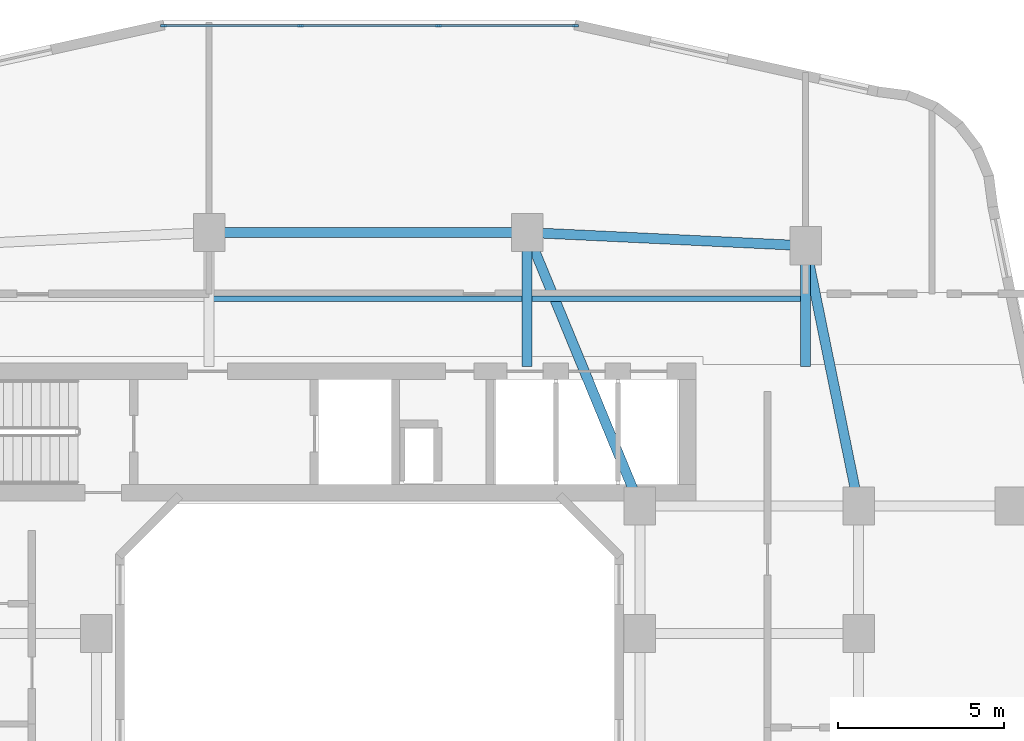
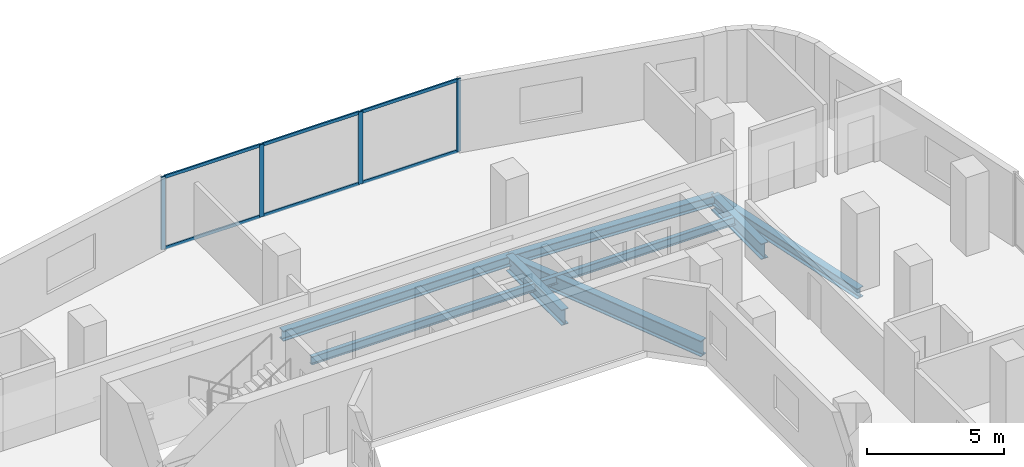
# One storey, part 7 of 26: 10 members, 8 beams, 1 element without a shape of its own.
"""IFC4 building model written with IfcOpenShell, lengths in metres."""

from ifc_helpers import new_model, si_unit, derived_unit, direction, frame, origin, origin_2d, place, context, subcontext, project, spatial, rectangle, i_section, extrude, material, layer, layer_set, material_profile, profile_set, type_object, element, aggregate, save


model = new_model("IFC4")

# Units and contexts
model_context = context("Model", 3, precision=1e-05, world=origin(), true_north=direction((0.0, 1.0)))
body_context = subcontext(model_context, "Body", "Model", "MODEL_VIEW")
ifc_project = project(units=[si_unit("LENGTHUNIT", "METRE"), si_unit("AREAUNIT", "SQUARE_METRE"), si_unit("VOLUMEUNIT", "CUBIC_METRE"), si_unit("PLANEANGLEUNIT", "RADIAN"), si_unit("MASSUNIT", "GRAM", prefix="KILO"), derived_unit("THERMALTRANSMITTANCEUNIT", [(si_unit("POWERUNIT", "WATT"), 1), (si_unit("LENGTHUNIT", "METRE"), -2), (si_unit("THERMODYNAMICTEMPERATUREUNIT", "KELVIN"), -1)])], contexts=[model_context])

# Site, building, storey
site_placement = place(None, origin())
site = spatial("IfcSite", under=ifc_project, at=site_placement, CompositionType="ELEMENT")
building_placement = place(site_placement, origin())
building = spatial("IfcBuilding", under=site, at=building_placement, Name="Kivonza Crest Hotel", CompositionType="ELEMENT")
storey_placement = place(building_placement, frame((0.0, 0.0, 62.5)))
storey = spatial("IfcBuildingStorey", under=building, at=storey_placement, Name="L16", CompositionType="ELEMENT", Elevation=62.5)

# Beams
ifc_material_1 = material(Name="Steel S355", Category="steel")
ifc_material_profile_1 = material_profile(ifc_material_1, i_section(OverallWidth=0.300048828125, OverallDepth=0.449951171875, WebThickness=0.013916015625, FlangeThickness=0.02587890625, FilletRadius=0.027099609375, at=origin_2d()), Name="HEB 450")
ifc_profile_set_1 = profile_set([ifc_material_profile_1], Name="Steel S355")
beam_type_1 = type_object("IfcBeamType", Name="BM-HEB450", PredefinedType="SPANDREL", material=ifc_profile_set_1)
beam_1_placement = place(storey_placement, frame((35.800048828125, 32.35009765625, -0.5048828125), z_axis=(-0.199730733965, 0.979850822273, 0.0), x_axis=(-0.979850822273, -0.199730733965, 0.0)))
element("IfcBeam", 1, at=beam_1_placement, inside=storey, type_object=beam_type_1, Name="Tower T1 L16 perimeter spandrel PNE-NE", PredefinedType="SPANDREL", context=body_context, shape_type="SweptSolid", body=[
    extrude(i_section(OverallWidth=0.300048828125, OverallDepth=0.449951171875, WebThickness=0.013916015625, FlangeThickness=0.02587890625, FilletRadius=0.027099609375, at=origin_2d()), origin(), (0.0, 0.0, 1.0), 8.01123046875),
])
beam_2_placement = place(storey_placement, frame((34.199951171875, 40.199951171875, -0.5048828125), z_axis=(-0.998867283688, 0.047583080799, 0.0), x_axis=(-0.047583080799, -0.998867283688, 0.0)))
element("IfcBeam", 2, at=beam_2_placement, inside=storey, type_object=beam_type_1, Name="Tower T1 L16 perimeter spandrel NE-N2", PredefinedType="SPANDREL", context=body_context, shape_type="SweptSolid", body=[
    extrude(i_section(OverallWidth=0.300048828125, OverallDepth=0.449951171875, WebThickness=0.013916015625, FlangeThickness=0.02587890625, FilletRadius=0.027099609375, at=origin_2d()), origin(), (0.0, 0.0, 1.0), 8.409423828125),
])
beam_3_placement = place(storey_placement, frame((25.800048828125, 40.60009765625, -0.5048828125), z_axis=(-1.0, 0.0, 0.0), x_axis=(0.0, -1.0, 0.0)))
element("IfcBeam", 3, at=beam_3_placement, inside=storey, type_object=beam_type_1, Name="Tower T1 L16 perimeter spandrel N2-N1", PredefinedType="SPANDREL", context=body_context, shape_type="SweptSolid", body=[
    extrude(i_section(OverallWidth=0.300048828125, OverallDepth=0.449951171875, WebThickness=0.013916015625, FlangeThickness=0.02587890625, FilletRadius=0.027099609375, at=origin_2d()), origin(), (0.0, 0.0, 1.0), 9.60009765625),
])
ifc_material_profile_2 = material_profile(ifc_material_1, i_section(OverallWidth=0.300048828125, OverallDepth=0.699951171875, WebThickness=0.01708984375, FlangeThickness=0.031982421875, FilletRadius=0.027099609375, at=origin_2d()), Name="HEB 700")
ifc_profile_set_2 = profile_set([ifc_material_profile_2], Name="Steel S355")
beam_type_2 = type_object("IfcBeamType", Name="BM-HEB700", PredefinedType="BEAM", material=ifc_profile_set_2)
beam_4_placement = place(storey_placement, frame((25.800048828125, 40.60009765625, -0.6298828125), z_axis=(0.381022260404, -0.924565864109, 0.0), x_axis=(0.924565864109, 0.381022260404, 0.0)))
element("IfcBeam", 4, at=beam_4_placement, inside=storey, type_object=beam_type_2, Name="Tower T1 L16 primary girder N1-TNE", PredefinedType="BEAM", context=body_context, shape_type="SweptSolid", body=[
    extrude(i_section(OverallWidth=0.300048828125, OverallDepth=0.699951171875, WebThickness=0.01708984375, FlangeThickness=0.031982421875, FilletRadius=0.027099609375, at=origin_2d()), origin(), (0.0, 0.0, 1.0), 8.923095703125),
])
beam_5_placement = place(storey_placement, frame((25.800048828125, 40.60009765625, -0.6298828125), z_axis=(0.0, -1.0, 0.0), x_axis=(1.0, 0.0, 0.0)))
element("IfcBeam", 5, at=beam_5_placement, inside=storey, type_object=beam_type_2, Name="Tower T1 L16 radial core girder RN2", PredefinedType="BEAM", context=body_context, shape_type="SweptSolid", body=[
    extrude(i_section(OverallWidth=0.300048828125, OverallDepth=0.699951171875, WebThickness=0.01708984375, FlangeThickness=0.031982421875, FilletRadius=0.027099609375, at=origin_2d()), origin(), (0.0, 0.0, 1.0), 4.050048828125),
])
beam_6_placement = place(storey_placement, frame((34.199951171875, 40.199951171875, -0.6298828125), z_axis=(0.0, -1.0, 0.0), x_axis=(1.0, 0.0, 0.0)))
element("IfcBeam", 6, at=beam_6_placement, inside=storey, type_object=beam_type_2, Name="Tower T1 L16 radial core girder RNE", PredefinedType="BEAM", context=body_context, shape_type="SweptSolid", body=[
    extrude(i_section(OverallWidth=0.300048828125, OverallDepth=0.699951171875, WebThickness=0.01708984375, FlangeThickness=0.031982421875, FilletRadius=0.027099609375, at=origin_2d()), origin(), (0.0, 0.0, 1.0), 3.64990234375),
])
ifc_material_profile_3 = material_profile(ifc_material_1, i_section(OverallWidth=0.169921875, OverallDepth=0.360107421875, WebThickness=0.008056640625, FlangeThickness=0.0126953125, FilletRadius=0.01806640625, at=origin_2d()), Name="IPE 360")
ifc_profile_set_3 = profile_set([ifc_material_profile_3], Name="Steel S355")
beam_type_3 = type_object("IfcBeamType", Name="BM-IPE360", PredefinedType="JOIST", material=ifc_profile_set_3)
beam_7_placement = place(storey_placement, frame((16.280029296875, 38.60009765625, -0.4599609375), z_axis=(1.0, 0.0, 0.0), x_axis=(0.0, 1.0, 0.0)))
element("IfcBeam", 7, at=beam_7_placement, inside=storey, type_object=beam_type_3, Name="Tower T1 L16 North-Mid floor joist", PredefinedType="JOIST", context=body_context, shape_type="SweptSolid", body=[
    extrude(i_section(OverallWidth=0.169921875, OverallDepth=0.360107421875, WebThickness=0.008056640625, FlangeThickness=0.0126953125, FilletRadius=0.01806640625, at=origin_2d()), origin(), (0.0, 0.0, 1.0), 9.43994140625),
])
beam_8_placement = place(storey_placement, frame((25.8798828125, 38.60009765625, -0.4599609375), z_axis=(1.0, 0.0, 0.0), x_axis=(0.0, 1.0, 0.0)))
element("IfcBeam", 8, at=beam_8_placement, inside=storey, type_object=beam_type_3, Name="Tower T1 L16 North-East floor joist", PredefinedType="JOIST", context=body_context, shape_type="SweptSolid", body=[
    extrude(i_section(OverallWidth=0.169921875, OverallDepth=0.360107421875, WebThickness=0.008056640625, FlangeThickness=0.0126953125, FilletRadius=0.01806640625, at=origin_2d()), origin(), (0.0, 0.0, 1.0), 8.240234375),
])

# Curtain wall, members
ifc_material_2 = material(Name="Anodised bronze aluminium and low-E double glazing", Category="aluminium")
ifc_layer = layer(ifc_material_2, 0.179931640625)
ifc_layer_set = layer_set([ifc_layer], Name="Anodised bronze aluminium and low-E double glazing")
curtain_wall_type = type_object("IfcCurtainWallType", Name="CW-SYS-2", PredefinedType="NOTDEFINED", material=ifc_layer_set)
curtain_wall_placement = place(storey_placement, origin())
curtain_wall = element("IfcCurtainWall", 9, at=curtain_wall_placement, inside=storey, type_object=curtain_wall_type, Name="L16 unitised curtain wall CW-T1-L16-26", PredefinedType="NOTDEFINED")
ifc_material_3 = material(Name="Anodised bronze aluminium", Category="aluminium")
ifc_material_profile_4 = material_profile(ifc_material_3, rectangle(XDim=0.06494140625, YDim=0.179931640625, at=origin_2d()), Name="CW-M 65x180")
ifc_profile_set_4 = profile_set([ifc_material_profile_4], Name="Anodised bronze aluminium")
member_type_1 = type_object("IfcMemberType", Name="CW-MUL-65x180", PredefinedType="MULLION", material=ifc_profile_set_4)
member_1_placement = place(storey_placement, frame((27.255615234375, 46.840087890625, 0.0), z_axis=(0.0, 0.0, 1.0), x_axis=(0.0, -1.0, 0.0)))
member_1 = element("IfcMember", 10, at=member_1_placement, type_object=member_type_1, Name="CW-2 mullion 1", PredefinedType="MULLION", context=body_context, shape_type="SweptSolid", body=[
    extrude(rectangle(XDim=0.06494140625, YDim=0.179931640625, at=origin_2d()), origin(), (0.0, 0.0, 1.0), 3.219970703125),
])
member_2_placement = place(storey_placement, frame((23.12255859375, 46.840087890625, 0.0), z_axis=(0.0, 0.0, 1.0), x_axis=(0.0, -1.0, 0.0)))
member_2 = element("IfcMember", 11, at=member_2_placement, type_object=member_type_1, Name="CW-2 mullion 2", PredefinedType="MULLION", context=body_context, shape_type="SweptSolid", body=[
    extrude(rectangle(XDim=0.06494140625, YDim=0.179931640625, at=origin_2d()), origin(), (0.0, 0.0, 1.0), 3.219970703125),
])
member_3_placement = place(storey_placement, frame((18.957275390625, 46.840087890625, 0.0), z_axis=(0.0, 0.0, 1.0), x_axis=(0.0, -1.0, 0.0)))
member_3 = element("IfcMember", 12, at=member_3_placement, type_object=member_type_1, Name="CW-2 mullion 3", PredefinedType="MULLION", context=body_context, shape_type="SweptSolid", body=[
    extrude(rectangle(XDim=0.06494140625, YDim=0.179931640625, at=origin_2d()), origin(), (0.0, 0.0, 1.0), 3.219970703125),
])
member_4_placement = place(storey_placement, frame((14.824462890625, 46.840087890625, 0.0), z_axis=(0.0, 0.0, 1.0), x_axis=(0.0, -1.0, 0.0)))
member_4 = element("IfcMember", 13, at=member_4_placement, type_object=member_type_1, Name="CW-2 mullion 4", PredefinedType="MULLION", context=body_context, shape_type="SweptSolid", body=[
    extrude(rectangle(XDim=0.06494140625, YDim=0.179931640625, at=origin_2d()), origin(), (0.0, 0.0, 1.0), 3.219970703125),
])
ifc_material_profile_5 = material_profile(ifc_material_3, rectangle(XDim=0.06494140625, YDim=0.139892578125, at=origin_2d()), Name="CW-T 65x140")
ifc_profile_set_5 = profile_set([ifc_material_profile_5], Name="Anodised bronze aluminium")
member_type_2 = type_object("IfcMemberType", Name="CW-TRN-65x140", PredefinedType="USERDEFINED", material=ifc_profile_set_5)
member_5_placement = place(storey_placement, frame((27.222900390625, 46.840087890625, 0.032470703125), z_axis=(-1.0, 0.0, 0.0), x_axis=(0.0, -1.0, 0.0)))
member_5 = element("IfcMember", 14, at=member_5_placement, type_object=member_type_2, Name="CW-2 transom 1.1", ObjectType="TRANSOM", PredefinedType="USERDEFINED", context=body_context, shape_type="SweptSolid", body=[
    extrude(rectangle(XDim=0.06494140625, YDim=0.139892578125, at=origin_2d()), origin(), (0.0, 0.0, 1.0), 4.067626953125),
])
member_6_placement = place(storey_placement, frame((27.222900390625, 46.840087890625, 3.1875), z_axis=(-1.0, 0.0, 0.0), x_axis=(0.0, -1.0, 0.0)))
member_6 = element("IfcMember", 15, at=member_6_placement, type_object=member_type_2, Name="CW-2 transom 1.2", ObjectType="TRANSOM", PredefinedType="USERDEFINED", context=body_context, shape_type="SweptSolid", body=[
    extrude(rectangle(XDim=0.06494140625, YDim=0.139892578125, at=origin_2d()), origin(), (0.0, 0.0, 1.0), 4.067626953125),
])
member_7_placement = place(storey_placement, frame((23.090087890625, 46.840087890625, 0.032470703125), z_axis=(-1.0, 0.0, 0.0), x_axis=(0.0, -1.0, 0.0)))
member_7 = element("IfcMember", 16, at=member_7_placement, type_object=member_type_2, Name="CW-2 transom 2.1", ObjectType="TRANSOM", PredefinedType="USERDEFINED", context=body_context, shape_type="SweptSolid", body=[
    extrude(rectangle(XDim=0.06494140625, YDim=0.139892578125, at=origin_2d()), origin(), (0.0, 0.0, 1.0), 4.100341796875),
])
member_8_placement = place(storey_placement, frame((23.090087890625, 46.840087890625, 3.1875), z_axis=(-1.0, 0.0, 0.0), x_axis=(0.0, -1.0, 0.0)))
member_8 = element("IfcMember", 17, at=member_8_placement, type_object=member_type_2, Name="CW-2 transom 2.2", ObjectType="TRANSOM", PredefinedType="USERDEFINED", context=body_context, shape_type="SweptSolid", body=[
    extrude(rectangle(XDim=0.06494140625, YDim=0.139892578125, at=origin_2d()), origin(), (0.0, 0.0, 1.0), 4.100341796875),
])
member_9_placement = place(storey_placement, frame((18.9248046875, 46.840087890625, 0.032470703125), z_axis=(-1.0, 0.0, 0.0), x_axis=(0.0, -1.0, 0.0)))
member_9 = element("IfcMember", 18, at=member_9_placement, type_object=member_type_2, Name="CW-2 transom 3.1", ObjectType="TRANSOM", PredefinedType="USERDEFINED", context=body_context, shape_type="SweptSolid", body=[
    extrude(rectangle(XDim=0.06494140625, YDim=0.139892578125, at=origin_2d()), origin(), (0.0, 0.0, 1.0), 4.06787109375),
])
member_10_placement = place(storey_placement, frame((18.9248046875, 46.840087890625, 3.1875), z_axis=(-1.0, 0.0, 0.0), x_axis=(0.0, -1.0, 0.0)))
member_10 = element("IfcMember", 19, at=member_10_placement, type_object=member_type_2, Name="CW-2 transom 3.2", ObjectType="TRANSOM", PredefinedType="USERDEFINED", context=body_context, shape_type="SweptSolid", body=[
    extrude(rectangle(XDim=0.06494140625, YDim=0.139892578125, at=origin_2d()), origin(), (0.0, 0.0, 1.0), 4.06787109375),
])
aggregate(curtain_wall, [member_1, member_2, member_3, member_4, member_5, member_6, member_7, member_8, member_9, member_10])

save(model, "model.ifc")
